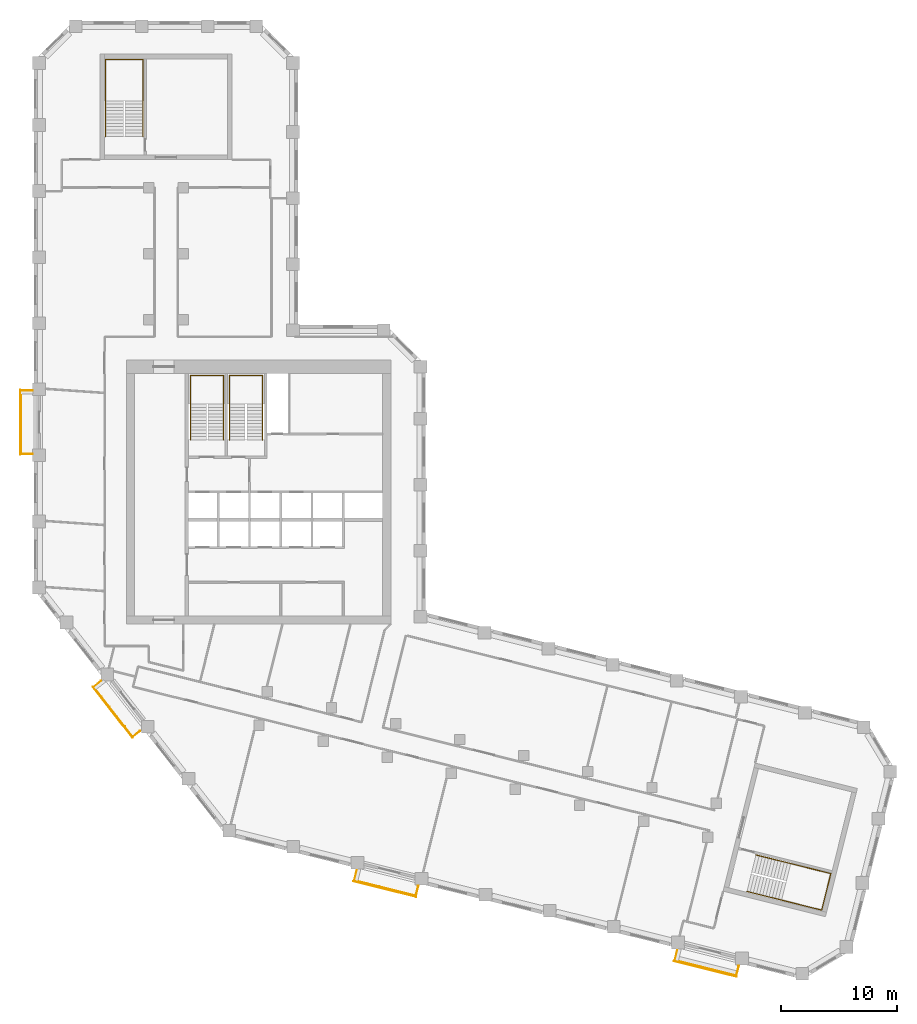
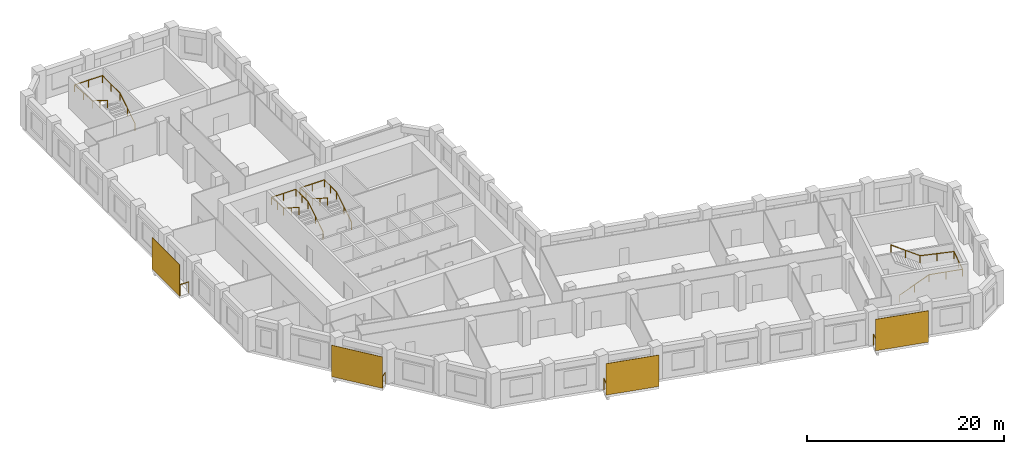
# One storey, part 10 of 10: 8 railings, 4 shading devices.
"""IFC4 building model written with IfcOpenShell, lengths in metres."""

from ifc_helpers import new_model, si_unit, direction, frame, origin, origin_2d, place, context, subcontext, project, spatial, rectangle, circle, extrude, material, layer, layer_set, type_object, element, save


model = new_model("IFC4")

# Units and contexts
model_context = context("Model", 3, precision=1e-05, world=origin(), true_north=direction((0.0, 1.0)))
body_context = subcontext(model_context, "Body", "Model", "MODEL_VIEW")
ifc_project = project(units=[si_unit("LENGTHUNIT", "METRE"), si_unit("AREAUNIT", "SQUARE_METRE"), si_unit("VOLUMEUNIT", "CUBIC_METRE"), si_unit("PLANEANGLEUNIT", "RADIAN"), si_unit("MASSUNIT", "GRAM", prefix="KILO")], contexts=[model_context])

# Site, building, storey
site_placement = place(None, origin())
site = spatial("IfcSite", under=ifc_project, at=site_placement, CompositionType="ELEMENT")
building_placement = place(site_placement, origin())
building = spatial("IfcBuilding", under=site, at=building_placement, Name="Meshkara Civic Tower", CompositionType="ELEMENT")
storey_placement = place(building_placement, frame((0.0, 0.0, 263.39990234375)))
storey = spatial("IfcBuildingStorey", under=building, at=storey_placement, Name="L60", CompositionType="ELEMENT", Elevation=263.39990234375)

# Railings
ifc_material_1 = material(Name="Steel S355", Category="steel")
railing_type_1 = type_object("IfcRailingType", Name="BALUSTRADE GUARD 1400", PredefinedType="BALUSTRADE", material=ifc_material_1)
railing_1_placement = place(storey_placement, frame((-0.10009765625, 34.235107421875, 0.0)))
element("IfcRailing", 1, at=railing_1_placement, inside=storey, type_object=railing_type_1, Name="Balcony guard", PredefinedType="BALUSTRADE", context=body_context, shape_type="SweptSolid", body=[
    extrude(circle(Radius=0.02392578125, at=origin_2d()), frame((0.0, 0.0, 1.3759765625), z_axis=(-1.0, 0.0, 0.0), x_axis=(0.0, -1.0, 0.0)), (0.0, 0.0, 1.0), 1.010009765625),
    extrude(circle(Radius=0.02392578125, at=origin_2d()), frame((-1.010009765625, 0.0, 1.3759765625), z_axis=(0.0, -1.0, 0.0), x_axis=(1.0, 0.0, 0.0)), (0.0, 0.0, 1.0), 5.460205078125),
    extrude(circle(Radius=0.02392578125, at=origin_2d()), frame((-1.010009765625, -5.460205078125, 1.3759765625), z_axis=(1.0, 0.0, 0.0), x_axis=(0.0, 1.0, 0.0)), (0.0, 0.0, 1.0), 1.010009765625),
    extrude(circle(Radius=0.02099609375, at=origin_2d()), origin(), (0.0, 0.0, 1.0), 1.351806640625),
    extrude(circle(Radius=0.02099609375, at=origin_2d()), frame((-1.010009765625, 0.0, 0.0)), (0.0, 0.0, 1.0), 1.351806640625),
    extrude(circle(Radius=0.02099609375, at=origin_2d()), frame((-1.010009765625, -1.092041015625, 0.0)), (0.0, 0.0, 1.0), 1.351806640625),
    extrude(circle(Radius=0.02099609375, at=origin_2d()), frame((-1.010009765625, -2.18408203125, 0.0)), (0.0, 0.0, 1.0), 1.351806640625),
    extrude(circle(Radius=0.02099609375, at=origin_2d()), frame((-1.010009765625, -3.276123046875, 0.0)), (0.0, 0.0, 1.0), 1.351806640625),
    extrude(circle(Radius=0.02099609375, at=origin_2d()), frame((-1.010009765625, -4.3681640625, 0.0)), (0.0, 0.0, 1.0), 1.351806640625),
    extrude(circle(Radius=0.02099609375, at=origin_2d()), frame((-1.010009765625, -5.460205078125, 0.0)), (0.0, 0.0, 1.0), 1.351806640625),
    extrude(circle(Radius=0.02099609375, at=origin_2d()), frame((0.0, -5.460205078125, 0.0)), (0.0, 0.0, 1.0), 1.351806640625),
])
railing_2_placement = place(storey_placement, frame((5.7890625, 9.1669921875, 0.0)))
element("IfcRailing", 2, at=railing_2_placement, inside=storey, type_object=railing_type_1, Name="Balcony guard", PredefinedType="BALUSTRADE", context=body_context, shape_type="SweptSolid", body=[
    extrude(circle(Radius=0.02392578125, at=origin_2d()), frame((0.0, 0.0, 1.3759765625), z_axis=(-0.788099513408, -0.615547851078, 0.0), x_axis=(0.615547851078, -0.788099513408, 0.0)), (0.0, 0.0, 1.0), 0.7880859375),
    extrude(circle(Radius=0.02392578125, at=origin_2d()), frame((-0.62109375, -0.485107421875, 1.3759765625), z_axis=(0.615684818606, -0.787992515281, 0.0), x_axis=(0.787992515281, 0.615684818606, 0.0)), (0.0, 0.0, 1.0), 5.460693359375),
    extrude(circle(Radius=0.02392578125, at=origin_2d()), frame((2.740966796875, -4.7880859375, 1.3759765625), z_axis=(0.787982092171, 0.615698158531, 0.0), x_axis=(-0.615698158531, 0.787982092171, 0.0)), (0.0, 0.0, 1.0), 0.787841796875),
    extrude(circle(Radius=0.02099609375, at=origin_2d()), origin(), (0.0, 0.0, 1.0), 1.351806640625),
    extrude(circle(Radius=0.02099609375, at=origin_2d()), frame((-0.62109375, -0.485107421875, 0.0)), (0.0, 0.0, 1.0), 1.351806640625),
    extrude(circle(Radius=0.02099609375, at=origin_2d()), frame((0.05126953125, -1.345703125, 0.0)), (0.0, 0.0, 1.0), 1.351806640625),
    extrude(circle(Radius=0.02099609375, at=origin_2d()), frame((0.7236328125, -2.206298828125, 0.0)), (0.0, 0.0, 1.0), 1.351806640625),
    extrude(circle(Radius=0.02099609375, at=origin_2d()), frame((1.396240234375, -3.06689453125, 0.0)), (0.0, 0.0, 1.0), 1.351806640625),
    extrude(circle(Radius=0.02099609375, at=origin_2d()), frame((2.068603515625, -3.927490234375, 0.0)), (0.0, 0.0, 1.0), 1.351806640625),
    extrude(circle(Radius=0.02099609375, at=origin_2d()), frame((2.740966796875, -4.7880859375, 0.0)), (0.0, 0.0, 1.0), 1.351806640625),
    extrude(circle(Radius=0.02099609375, at=origin_2d()), frame((3.36181640625, -4.302978515625, 0.0)), (0.0, 0.0, 1.0), 1.351806640625),
])
for number, where, name in (
    (3, (27.866943359375, -7.1708984375, 0.0), "Balcony guard"),
    (4, (55.52099609375, -14.06591796875, 0.0), "Balcony guard"),
):
    element("IfcRailing", number, at=place(storey_placement, frame(where)), inside=storey, type_object=railing_type_1, Name=name, PredefinedType="BALUSTRADE", context=body_context, shape_type="SweptSolid", body=[
        extrude(circle(Radius=0.02392578125, at=origin_2d()), frame((0.0, 0.0, 1.3759765625), z_axis=(-0.241764216879, -0.970335026389, 0.0), x_axis=(0.970335026389, -0.241764216879, 0.0)), (0.0, 0.0, 1.0), 0.893798828125),
        extrude(circle(Radius=0.02392578125, at=origin_2d()), frame((-0.216064453125, -0.8671875, 1.3759765625), z_axis=(0.970302726319, -0.241893818229, 0.0), x_axis=(0.241893818229, 0.970302726319, 0.0)), (0.0, 0.0, 1.0), 5.460205078125),
        extrude(circle(Radius=0.02392578125, at=origin_2d()), frame((5.08203125, -2.18798828125, 1.3759765625), z_axis=(0.241828319243, 0.97031905269, 0.0), x_axis=(-0.97031905269, 0.241828319243, 0.0)), (0.0, 0.0, 1.0), 0.8935546875),
        extrude(circle(Radius=0.02099609375, at=origin_2d()), origin(), (0.0, 0.0, 1.0), 1.351806640625),
        extrude(circle(Radius=0.02099609375, at=origin_2d()), frame((-0.216064453125, -0.8671875, 0.0)), (0.0, 0.0, 1.0), 1.351806640625),
        extrude(circle(Radius=0.02099609375, at=origin_2d()), frame((0.843505859375, -1.13134765625, 0.0)), (0.0, 0.0, 1.0), 1.351806640625),
        extrude(circle(Radius=0.02099609375, at=origin_2d()), frame((1.903076171875, -1.3955078125, 0.0)), (0.0, 0.0, 1.0), 1.351806640625),
        extrude(circle(Radius=0.02099609375, at=origin_2d()), frame((2.962890625, -1.65966796875, 0.0)), (0.0, 0.0, 1.0), 1.351806640625),
        extrude(circle(Radius=0.02099609375, at=origin_2d()), frame((4.0224609375, -1.923828125, 0.0)), (0.0, 0.0, 1.0), 1.351806640625),
        extrude(circle(Radius=0.02099609375, at=origin_2d()), frame((5.08203125, -2.18798828125, 0.0)), (0.0, 0.0, 1.0), 1.351806640625),
        extrude(circle(Radius=0.02099609375, at=origin_2d()), frame((5.298095703125, -1.321044921875, 0.0)), (0.0, 0.0, 1.0), 1.351806640625),
    ])

# Shading devices
ifc_material_2 = material(Name="Perforated bronze anodised aluminium sheet", Category="aluminium")
ifc_layer = layer(ifc_material_2, 0.0400390625)
ifc_layer_set = layer_set([ifc_layer], Name="PERFORATED BRONZE SCREEN")
shading_device_type = type_object("IfcShadingDeviceType", Name="PERFORATED BRONZE SCREEN", PredefinedType="USERDEFINED", material=ifc_layer_set)
shading_device_1_placement = place(storey_placement, frame((-1.179931640625, 31.5048828125, 0.000244140625), z_axis=(0.0, 0.0, 1.0), x_axis=(0.0, -1.0, 0.0)))
element("IfcShadingDevice", 5, at=shading_device_1_placement, inside=storey, type_object=shading_device_type, Name="Balcony screen", ObjectType="SCREEN", PredefinedType="USERDEFINED", context=body_context, shape_type="SweptSolid", body=[
    extrude(rectangle(XDim=5.580078125, YDim=0.0400390625, at=origin_2d()), origin(), (0.0, 0.0, 1.0), 3.89990234375),
])
shading_device_2_placement = place(storey_placement, frame((6.7939453125, 6.488037109375, 0.000244140625), z_axis=(0.0, 0.0, 1.0), x_axis=(0.615661475326, -0.788010753607, 0.0)))
element("IfcShadingDevice", 6, at=shading_device_2_placement, inside=storey, type_object=shading_device_type, Name="Balcony screen", ObjectType="SCREEN", PredefinedType="USERDEFINED", context=body_context, shape_type="SweptSolid", body=[
    extrude(rectangle(XDim=5.5810546875, YDim=0.0400390625, at=origin_2d()), origin(), (0.0, 0.0, 1.0), 3.89990234375),
])
for number, where, z_axis, x_axis, name in (
    (7, (30.282958984375, -8.76708984375, 0.000244140625), (0.0, 0.0, 1.0), (0.970299948462, -0.241904960708, 0.0), "Balcony screen"),
    (8, (57.93701171875, -15.660888671875, 0.000244140625), (0.0, 0.0, 1.0), (0.970299948462, -0.241904960708, 0.0), "Balcony screen"),
):
    element("IfcShadingDevice", number, at=place(storey_placement, frame(where, z_axis=z_axis, x_axis=x_axis)), inside=storey, type_object=shading_device_type, Name=name, ObjectType="SCREEN", PredefinedType="USERDEFINED", context=body_context, shape_type="SweptSolid", body=[
        extrude(rectangle(XDim=5.580078125, YDim=0.0400390625, at=origin_2d()), origin(), (0.0, 0.0, 1.0), 3.89990234375),
    ])

# Railings
ifc_material_3 = material(Name="Steel handrail", Category="steel")
railing_type_2 = type_object("IfcRailingType", Name="Stair handrail 900", PredefinedType="HANDRAIL", material=ifc_material_3)
railing_3_placement = place(storey_placement, frame((16.375, 30.0, 0.175048828125)))
element("IfcRailing", 9, at=railing_3_placement, inside=storey, type_object=railing_type_2, Name="L60 ST1 stair handrail 1", PredefinedType="HANDRAIL", context=body_context, shape_type="SweptSolid", body=[
    extrude(circle(Radius=0.02392578125, at=origin_2d()), frame((0.0, 0.0, 0.8759765625), z_axis=(0.0, 0.847998304005, 0.529998940003), x_axis=(-1.0, 0.0, 0.0)), (0.0, 0.0, 1.0), 3.632080078125),
    extrude(circle(Radius=0.02392578125, at=origin_2d()), frame((0.0, 3.080078125, 2.80078125), z_axis=(0.0, 1.0, 0.0), x_axis=(-1.0, 0.0, 0.0)), (0.0, 0.0, 1.0), 2.469970703125),
    extrude(circle(Radius=0.02392578125, at=origin_2d()), frame((0.0, 5.550048828125, 2.80078125), z_axis=(-1.0, 0.0, 0.0), x_axis=(0.0, -1.0, 0.0)), (0.0, 0.0, 1.0), 2.85009765625),
    extrude(circle(Radius=0.02392578125, at=origin_2d()), frame((-2.85009765625, 5.550048828125, 2.80078125), z_axis=(0.0, -0.997498084828, 0.070693498747), x_axis=(1.0, 0.0, 0.0)), (0.0, 0.0, 1.0), 2.47607421875),
    extrude(circle(Radius=0.02392578125, at=origin_2d()), frame((-2.85009765625, 3.080078125, 2.97607421875), z_axis=(0.0, -0.847998304005, 0.529998940003), x_axis=(1.0, 0.0, 0.0)), (0.0, 0.0, 1.0), 3.632080078125),
    extrude(circle(Radius=0.02099609375, at=origin_2d()), origin(), (0.0, 0.0, 1.0), 0.851806640625),
    extrude(circle(Radius=0.02099609375, at=origin_2d()), frame((0.0, 1.5400390625, 0.96240234375)), (0.0, 0.0, 1.0), 0.851806640625),
    extrude(circle(Radius=0.02099609375, at=origin_2d()), frame((0.0, 3.080078125, 1.925048828125)), (0.0, 0.0, 1.0), 0.851806640625),
    extrude(circle(Radius=0.02099609375, at=origin_2d()), frame((0.0, 4.31494140625, 1.925048828125)), (0.0, 0.0, 1.0), 0.851806640625),
    extrude(circle(Radius=0.02099609375, at=origin_2d()), frame((0.0, 5.550048828125, 1.925048828125)), (0.0, 0.0, 1.0), 0.851806640625),
    extrude(circle(Radius=0.02099609375, at=origin_2d()), frame((-1.425048828125, 5.550048828125, 1.925048828125)), (0.0, 0.0, 1.0), 0.851806640625),
    extrude(circle(Radius=0.02099609375, at=origin_2d()), frame((-2.85009765625, 5.550048828125, 1.925048828125)), (0.0, 0.0, 1.0), 0.851806640625),
    extrude(circle(Radius=0.02099609375, at=origin_2d()), frame((-2.85009765625, 4.31494140625, 2.0126953125)), (0.0, 0.0, 1.0), 0.851806640625),
    extrude(circle(Radius=0.02099609375, at=origin_2d()), frame((-2.85009765625, 3.080078125, 2.10009765625)), (0.0, 0.0, 1.0), 0.851806640625),
    extrude(circle(Radius=0.02099609375, at=origin_2d()), frame((-2.85009765625, 1.5400390625, 3.0625)), (0.0, 0.0, 1.0), 0.851806640625),
    extrude(circle(Radius=0.02099609375, at=origin_2d()), frame((-2.85009765625, 0.0, 4.025146484375)), (0.0, 0.0, 1.0), 0.851806640625),
])
railing_4_placement = place(storey_placement, frame((19.72509765625, 30.0, 0.175048828125)))
element("IfcRailing", 10, at=railing_4_placement, inside=storey, type_object=railing_type_2, Name="L60 ST2 stair handrail 1", PredefinedType="HANDRAIL", context=body_context, shape_type="SweptSolid", body=[
    extrude(circle(Radius=0.02392578125, at=origin_2d()), frame((0.0, 0.0, 0.8759765625), z_axis=(0.0, 0.847998304005, 0.529998940003), x_axis=(-1.0, 0.0, 0.0)), (0.0, 0.0, 1.0), 3.632080078125),
    extrude(circle(Radius=0.02392578125, at=origin_2d()), frame((0.0, 3.080078125, 2.80078125), z_axis=(0.0, 1.0, 0.0), x_axis=(-1.0, 0.0, 0.0)), (0.0, 0.0, 1.0), 2.469970703125),
    extrude(circle(Radius=0.02392578125, at=origin_2d()), frame((0.0, 5.550048828125, 2.80078125), z_axis=(-1.0, 0.0, 0.0), x_axis=(0.0, -1.0, 0.0)), (0.0, 0.0, 1.0), 2.85009765625),
    extrude(circle(Radius=0.02392578125, at=origin_2d()), frame((-2.85009765625, 5.550048828125, 2.80078125), z_axis=(0.0, -0.997498084828, 0.070693498747), x_axis=(1.0, 0.0, 0.0)), (0.0, 0.0, 1.0), 2.47607421875),
    extrude(circle(Radius=0.02392578125, at=origin_2d()), frame((-2.85009765625, 3.080078125, 2.97607421875), z_axis=(0.0, -0.847998304005, 0.529998940003), x_axis=(1.0, 0.0, 0.0)), (0.0, 0.0, 1.0), 3.632080078125),
    extrude(circle(Radius=0.02099609375, at=origin_2d()), origin(), (0.0, 0.0, 1.0), 0.851806640625),
    extrude(circle(Radius=0.02099609375, at=origin_2d()), frame((0.0, 1.5400390625, 0.96240234375)), (0.0, 0.0, 1.0), 0.851806640625),
    extrude(circle(Radius=0.02099609375, at=origin_2d()), frame((0.0, 3.080078125, 1.925048828125)), (0.0, 0.0, 1.0), 0.851806640625),
    extrude(circle(Radius=0.02099609375, at=origin_2d()), frame((0.0, 4.31494140625, 1.925048828125)), (0.0, 0.0, 1.0), 0.851806640625),
    extrude(circle(Radius=0.02099609375, at=origin_2d()), frame((0.0, 5.550048828125, 1.925048828125)), (0.0, 0.0, 1.0), 0.851806640625),
    extrude(circle(Radius=0.02099609375, at=origin_2d()), frame((-1.425048828125, 5.550048828125, 1.925048828125)), (0.0, 0.0, 1.0), 0.851806640625),
    extrude(circle(Radius=0.02099609375, at=origin_2d()), frame((-2.85009765625, 5.550048828125, 1.925048828125)), (0.0, 0.0, 1.0), 0.851806640625),
    extrude(circle(Radius=0.02099609375, at=origin_2d()), frame((-2.85009765625, 4.31494140625, 2.0126953125)), (0.0, 0.0, 1.0), 0.851806640625),
    extrude(circle(Radius=0.02099609375, at=origin_2d()), frame((-2.85009765625, 3.080078125, 2.10009765625)), (0.0, 0.0, 1.0), 0.851806640625),
    extrude(circle(Radius=0.02099609375, at=origin_2d()), frame((-2.85009765625, 1.5400390625, 3.0625)), (0.0, 0.0, 1.0), 0.851806640625),
    extrude(circle(Radius=0.02099609375, at=origin_2d()), frame((-2.85009765625, 0.0, 4.025146484375)), (0.0, 0.0, 1.0), 0.851806640625),
])
railing_5_placement = place(storey_placement, frame((9.425048828125, 56.169921875, 0.175048828125)))
element("IfcRailing", 11, at=railing_5_placement, inside=storey, type_object=railing_type_2, Name="L60 ESA4 stair handrail 1", PredefinedType="HANDRAIL", context=body_context, shape_type="SweptSolid", body=[
    extrude(circle(Radius=0.02392578125, at=origin_2d()), frame((0.0, 0.0, 0.8759765625), z_axis=(0.0, 0.847998304005, 0.529998940003), x_axis=(-1.0, 0.0, 0.0)), (0.0, 0.0, 1.0), 3.632080078125),
    extrude(circle(Radius=0.02392578125, at=origin_2d()), frame((0.0, 3.080078125, 2.80078125), z_axis=(0.0, 1.0, 0.0), x_axis=(-1.0, 0.0, 0.0)), (0.0, 0.0, 1.0), 3.570068359375),
    extrude(circle(Radius=0.02392578125, at=origin_2d()), frame((0.0, 6.650146484375, 2.80078125), z_axis=(-1.0, 0.0, 0.0), x_axis=(0.0, -1.0, 0.0)), (0.0, 0.0, 1.0), 3.25),
    extrude(circle(Radius=0.02392578125, at=origin_2d()), frame((-3.25, 6.650146484375, 2.80078125), z_axis=(0.0, -0.998800077689, 0.048973511297), x_axis=(1.0, 0.0, 0.0)), (0.0, 0.0, 1.0), 3.574462890625),
    extrude(circle(Radius=0.02392578125, at=origin_2d()), frame((-3.25, 3.080078125, 2.97607421875), z_axis=(0.0, -0.847998304005, 0.529998940003), x_axis=(1.0, 0.0, 0.0)), (0.0, 0.0, 1.0), 3.632080078125),
    extrude(circle(Radius=0.02099609375, at=origin_2d()), origin(), (0.0, 0.0, 1.0), 0.851806640625),
    extrude(circle(Radius=0.02099609375, at=origin_2d()), frame((0.0, 1.5400390625, 0.96240234375)), (0.0, 0.0, 1.0), 0.851806640625),
    extrude(circle(Radius=0.02099609375, at=origin_2d()), frame((0.0, 3.080078125, 1.925048828125)), (0.0, 0.0, 1.0), 0.851806640625),
    extrude(circle(Radius=0.02099609375, at=origin_2d()), frame((0.0, 4.865234375, 1.925048828125)), (0.0, 0.0, 1.0), 0.851806640625),
    extrude(circle(Radius=0.02099609375, at=origin_2d()), frame((0.0, 6.650146484375, 1.925048828125)), (0.0, 0.0, 1.0), 0.851806640625),
    extrude(circle(Radius=0.02099609375, at=origin_2d()), frame((-1.625, 6.650146484375, 1.925048828125)), (0.0, 0.0, 1.0), 0.851806640625),
    extrude(circle(Radius=0.02099609375, at=origin_2d()), frame((-3.25, 6.650146484375, 1.925048828125)), (0.0, 0.0, 1.0), 0.851806640625),
    extrude(circle(Radius=0.02099609375, at=origin_2d()), frame((-3.25, 4.865234375, 2.0126953125)), (0.0, 0.0, 1.0), 0.851806640625),
    extrude(circle(Radius=0.02099609375, at=origin_2d()), frame((-3.25, 3.080078125, 2.10009765625)), (0.0, 0.0, 1.0), 0.851806640625),
    extrude(circle(Radius=0.02099609375, at=origin_2d()), frame((-3.25, 1.5400390625, 3.0625)), (0.0, 0.0, 1.0), 0.851806640625),
    extrude(circle(Radius=0.02099609375, at=origin_2d()), frame((-3.25, 0.0, 4.025146484375)), (0.0, 0.0, 1.0), 0.851806640625),
])
railing_6_placement = place(storey_placement, frame((61.526123046875, -8.97607421875, 0.175048828125)))
element("IfcRailing", 12, at=railing_6_placement, inside=storey, type_object=railing_type_2, Name="L60 ESB4 stair handrail 1", PredefinedType="HANDRAIL", context=body_context, shape_type="SweptSolid", body=[
    extrude(circle(Radius=0.02392578125, at=origin_2d()), frame((0.0, 0.0, 0.8759765625), z_axis=(0.822771605551, -0.205222362071, 0.530028930537), x_axis=(0.242013336109, 0.97027292302, 0.0)), (0.0, 0.0, 1.0), 3.632080078125),
    extrude(circle(Radius=0.02392578125, at=origin_2d()), frame((2.98828125, -0.745361328125, 2.80078125), z_axis=(0.97025503065, -0.242085058395, 0.0), x_axis=(0.242085058395, 0.97025503065, 0.0)), (0.0, 0.0, 1.0), 3.570068359375),
    extrude(circle(Radius=0.02392578125, at=origin_2d()), frame((6.4521484375, -1.609619140625, 2.80078125), z_axis=(0.242040676986, 0.970266103027, 0.0), x_axis=(-0.970266103027, 0.242040676986, 0.0)), (0.0, 0.0, 1.0), 3.25),
    extrude(circle(Radius=0.02392578125, at=origin_2d()), frame((7.23876953125, 1.543701171875, 2.80078125), z_axis=(-0.969086635977, 0.241810579499, 0.04897688856), x_axis=(-0.24210112213, -0.970251022501, 0.0)), (0.0, 0.0, 1.0), 3.57421875),
    extrude(circle(Radius=0.02392578125, at=origin_2d()), frame((3.775146484375, 2.407958984375, 2.97607421875), z_axis=(-0.822793318929, 0.205211012392, 0.529999617659), x_axis=(-0.24199472324, -0.970277565403, 0.0)), (0.0, 0.0, 1.0), 3.632080078125),
    extrude(circle(Radius=0.02099609375, at=origin_2d()), origin(), (0.0, 0.0, 1.0), 0.851806640625),
    extrude(circle(Radius=0.02099609375, at=origin_2d()), frame((1.494140625, -0.37255859375, 0.96240234375)), (0.0, 0.0, 1.0), 0.851806640625),
    extrude(circle(Radius=0.02099609375, at=origin_2d()), frame((2.98828125, -0.745361328125, 1.925048828125)), (0.0, 0.0, 1.0), 0.851806640625),
    extrude(circle(Radius=0.02099609375, at=origin_2d()), frame((4.72021484375, -1.177490234375, 1.925048828125)), (0.0, 0.0, 1.0), 0.851806640625),
    extrude(circle(Radius=0.02099609375, at=origin_2d()), frame((6.4521484375, -1.609619140625, 1.925048828125)), (0.0, 0.0, 1.0), 0.851806640625),
    extrude(circle(Radius=0.02099609375, at=origin_2d()), frame((6.845458984375, -0.032958984375, 1.925048828125)), (0.0, 0.0, 1.0), 0.851806640625),
    extrude(circle(Radius=0.02099609375, at=origin_2d()), frame((7.23876953125, 1.543701171875, 1.925048828125)), (0.0, 0.0, 1.0), 0.851806640625),
    extrude(circle(Radius=0.02099609375, at=origin_2d()), frame((5.5068359375, 1.975830078125, 2.0126953125)), (0.0, 0.0, 1.0), 0.851806640625),
    extrude(circle(Radius=0.02099609375, at=origin_2d()), frame((3.775146484375, 2.407958984375, 2.10009765625)), (0.0, 0.0, 1.0), 0.851806640625),
    extrude(circle(Radius=0.02099609375, at=origin_2d()), frame((2.28076171875, 2.78076171875, 3.0625)), (0.0, 0.0, 1.0), 0.851806640625),
    extrude(circle(Radius=0.02099609375, at=origin_2d()), frame((0.78662109375, 3.1533203125, 4.025146484375)), (0.0, 0.0, 1.0), 0.851806640625),
])

save(model, "model.ifc")
